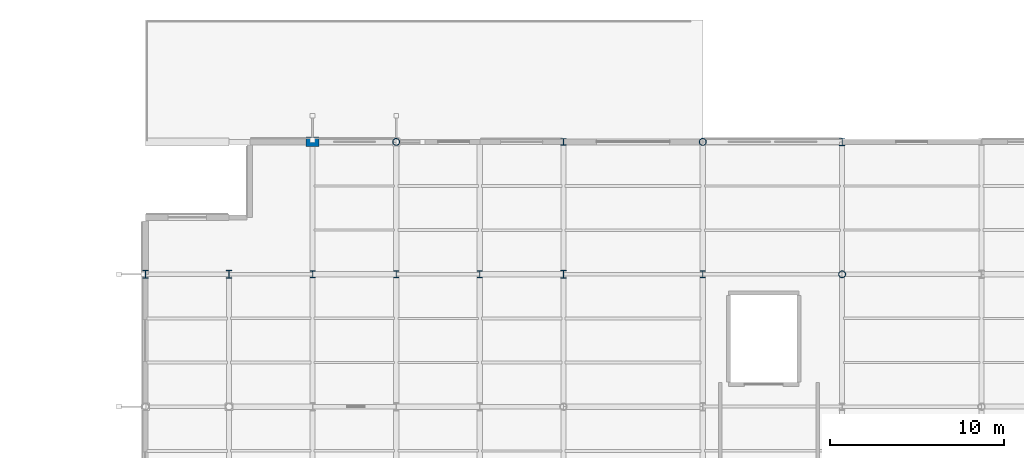
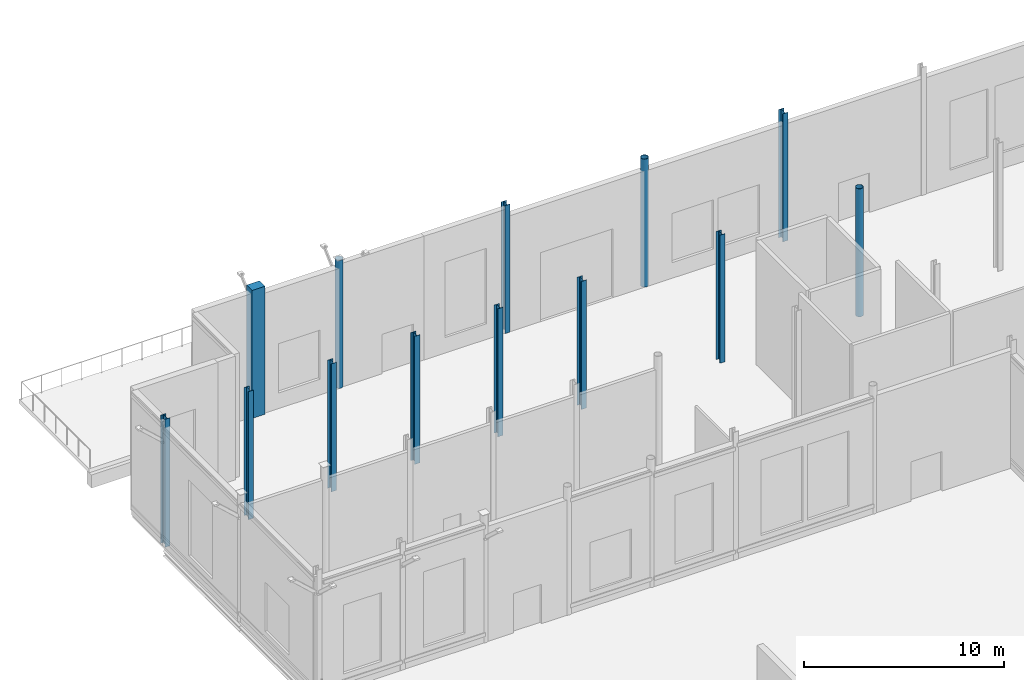
# One storey, part 23 of 176: 13 columns.
"""IFC4 building model written with IfcOpenShell, lengths in metres."""

from ifc_helpers import new_model, si_unit, direction, frame, origin, origin_2d, place, context, subcontext, project, spatial, rectangle, hollow_circle, i_section, extrude, material, material_profile, profile_set, type_object, element, save


model = new_model("IFC4")

# Units and contexts
model_context = context("Model", 3, precision=1e-05, world=origin(), true_north=direction((0.0, 1.0)))
body_context = subcontext(model_context, "Body", "Model", "MODEL_VIEW")
ifc_project = project(units=[si_unit("LENGTHUNIT", "METRE"), si_unit("AREAUNIT", "SQUARE_METRE"), si_unit("VOLUMEUNIT", "CUBIC_METRE"), si_unit("PLANEANGLEUNIT", "RADIAN"), si_unit("MASSUNIT", "GRAM", prefix="KILO")], contexts=[model_context])

# Site, building, storey
site_placement = place(None, origin())
site = spatial("IfcSite", under=ifc_project, at=site_placement, CompositionType="ELEMENT")
building_placement = place(site_placement, origin())
building = spatial("IfcBuilding", under=site, at=building_placement, Name="Vekula Escarpment Museum", CompositionType="ELEMENT")
storey_placement = place(building_placement, origin())
storey = spatial("IfcBuildingStorey", under=building, at=storey_placement, Name="L01", CompositionType="ELEMENT", Elevation=0.0)

# Columns
ifc_material_1 = material(Name="Steel S355", Category="steel")
ifc_material_profile_1 = material_profile(ifc_material_1, hollow_circle(Radius=0.203125, WallThickness=0.02001953125, at=origin_2d()), Name="CHS 406.4x20")
ifc_profile_set_1 = profile_set([ifc_material_profile_1], Name="Steel S355")
column_type_1 = type_object("IfcColumnType", Name="COL-S-CHS406", PredefinedType="COLUMN", material=ifc_profile_set_1)
for number, where, z_axis, x_axis, name in (
    (1, (14.39990234375, 136.0, 0.0), (0.0, 0.0, 1.0), (1.0, 0.0, 0.0), "Column L01 (14.4,136.0)"),
    (2, (32.0, 136.0, 0.0), (0.0, 0.0, 1.0), (1.0, 0.0, 0.0), "Column L01 (32.0,136.0)"),
    (3, (40.0, 128.39990234375, 0.0), (0.0, 0.0, 1.0), (1.0, 0.0, 0.0), "Column L01 (40.0,128.4)"),
):
    element("IfcColumn", number, at=place(storey_placement, frame(where, z_axis=z_axis, x_axis=x_axis)), inside=storey, type_object=column_type_1, Name=name, PredefinedType="COLUMN", context=body_context, shape_type="SweptSolid", body=[
        extrude(hollow_circle(Radius=0.203125, WallThickness=0.02001953125, at=origin_2d()), origin(), (0.0, 0.0, 1.0), 7.800048828125),
    ])
ifc_material_2 = material(Name="Steel S355", Category="steel")
ifc_material_profile_2 = material_profile(ifc_material_2, i_section(OverallWidth=0.300048828125, OverallDepth=0.389892578125, WebThickness=0.010986328125, FlangeThickness=0.01904296875, FilletRadius=0.027099609375, at=origin_2d()), Name="HEA 400")
ifc_profile_set_2 = profile_set([ifc_material_profile_2], Name="Steel S355")
column_type_2 = type_object("IfcColumnType", Name="COL-S-HEA400", PredefinedType="COLUMN", material=ifc_profile_set_2)
for number, where, z_axis, x_axis, name in (
    (4, (9.60009765625, 128.39990234375, 0.0), (0.0, 0.0, 1.0), (1.0, 0.0, 0.0), "Column L01 (9.6,128.4)"),
    (5, (14.39990234375, 128.39990234375, 0.0), (0.0, 0.0, 1.0), (1.0, 0.0, 0.0), "Column L01 (14.4,128.4)"),
    (6, (19.199951171875, 128.39990234375, 0.0), (0.0, 0.0, 1.0), (1.0, 0.0, 0.0), "Column L01 (19.2,128.4)"),
    (7, (24.0, 136.0, 0.0), (0.0, 0.0, 1.0), (1.0, 0.0, 0.0), "Column L01 (24.0,136.0)"),
    (8, (32.0, 128.39990234375, 0.0), (0.0, 0.0, 1.0), (1.0, 0.0, 0.0), "Column L01 (32.0,128.4)"),
):
    element("IfcColumn", number, at=place(storey_placement, frame(where, z_axis=z_axis, x_axis=x_axis)), inside=storey, type_object=column_type_2, Name=name, PredefinedType="COLUMN", context=body_context, shape_type="SweptSolid", body=[
        extrude(i_section(OverallWidth=0.300048828125, OverallDepth=0.389892578125, WebThickness=0.010986328125, FlangeThickness=0.01904296875, FilletRadius=0.027099609375, at=origin_2d()), origin(), (0.0, 0.0, 1.0), 7.800048828125),
    ])
ifc_material_3 = material(Name="Steel S355", Category="steel")
ifc_material_profile_3 = material_profile(ifc_material_3, i_section(OverallWidth=0.300048828125, OverallDepth=0.43994140625, WebThickness=0.011474609375, FlangeThickness=0.02099609375, FilletRadius=0.027099609375, at=origin_2d()), Name="HEA 450")
ifc_profile_set_3 = profile_set([ifc_material_profile_3], Name="Steel S355")
column_type_3 = type_object("IfcColumnType", Name="COL-S-HEA450", PredefinedType="COLUMN", material=ifc_profile_set_3)
for number, where, z_axis, x_axis, name in (
    (9, (0.0, 128.39990234375, 0.0), (0.0, 0.0, 1.0), (1.0, 0.0, 0.0), "Column L01 (0.0,128.4)"),
    (10, (4.800048828125, 128.39990234375, 0.0), (0.0, 0.0, 1.0), (1.0, 0.0, 0.0), "Column L01 (4.8,128.4)"),
    (11, (24.0, 128.39990234375, 0.0), (0.0, 0.0, 1.0), (1.0, 0.0, 0.0), "Column L01 (24.0,128.4)"),
    (12, (40.0, 136.0, 0.0), (0.0, 0.0, 1.0), (1.0, 0.0, 0.0), "Column L01 (40.0,136.0)"),
):
    element("IfcColumn", number, at=place(storey_placement, frame(where, z_axis=z_axis, x_axis=x_axis)), inside=storey, type_object=column_type_3, Name=name, PredefinedType="COLUMN", context=body_context, shape_type="SweptSolid", body=[
        extrude(i_section(OverallWidth=0.300048828125, OverallDepth=0.43994140625, WebThickness=0.011474609375, FlangeThickness=0.02099609375, FilletRadius=0.027099609375, at=origin_2d()), origin(), (0.0, 0.0, 1.0), 7.800048828125),
    ])
ifc_material_4 = material(Name="Inkisi arkosic sandstone masonry", Category="masonry")
ifc_material_profile_4 = material_profile(ifc_material_4, rectangle(XDim=0.75, YDim=0.550048828125, at=origin_2d()), Name="PIER 750x550")
ifc_profile_set_4 = profile_set([ifc_material_profile_4], Name="Inkisi arkosic sandstone masonry")
column_type_4 = type_object("IfcColumnType", Name="PIL-ALM-750", PredefinedType="PILASTER", material=ifc_profile_set_4)
column_placement = place(storey_placement, frame((9.60009765625, 136.0, 0.0), z_axis=(0.0, 0.0, 1.0), x_axis=(1.0, 0.0, 0.0)))
element("IfcColumn", 13, at=column_placement, inside=storey, type_object=column_type_4, Name="Column L01 (9.6,136.0)", PredefinedType="PILASTER", context=body_context, shape_type="SweptSolid", body=[
    extrude(rectangle(XDim=0.75, YDim=0.550048828125, at=origin_2d()), origin(), (0.0, 0.0, 1.0), 7.800048828125),
])

save(model, "model.ifc")
